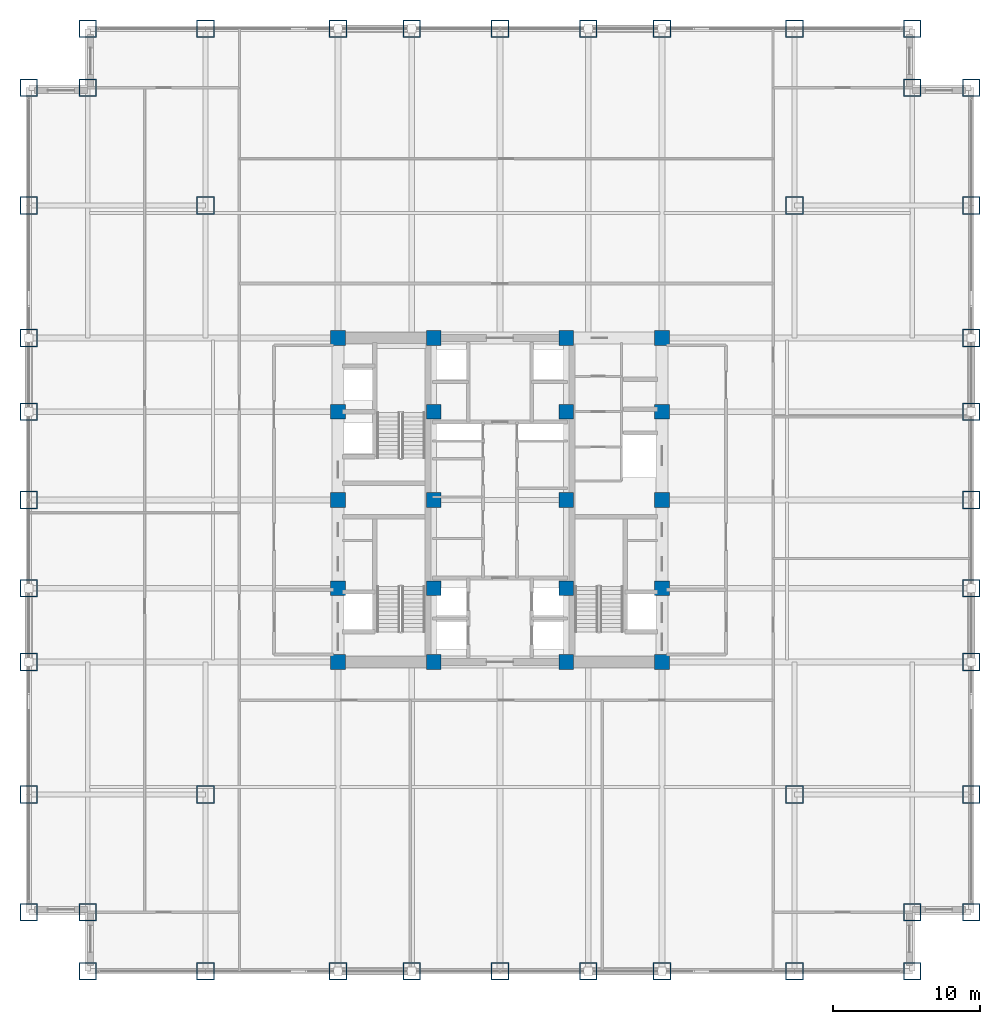
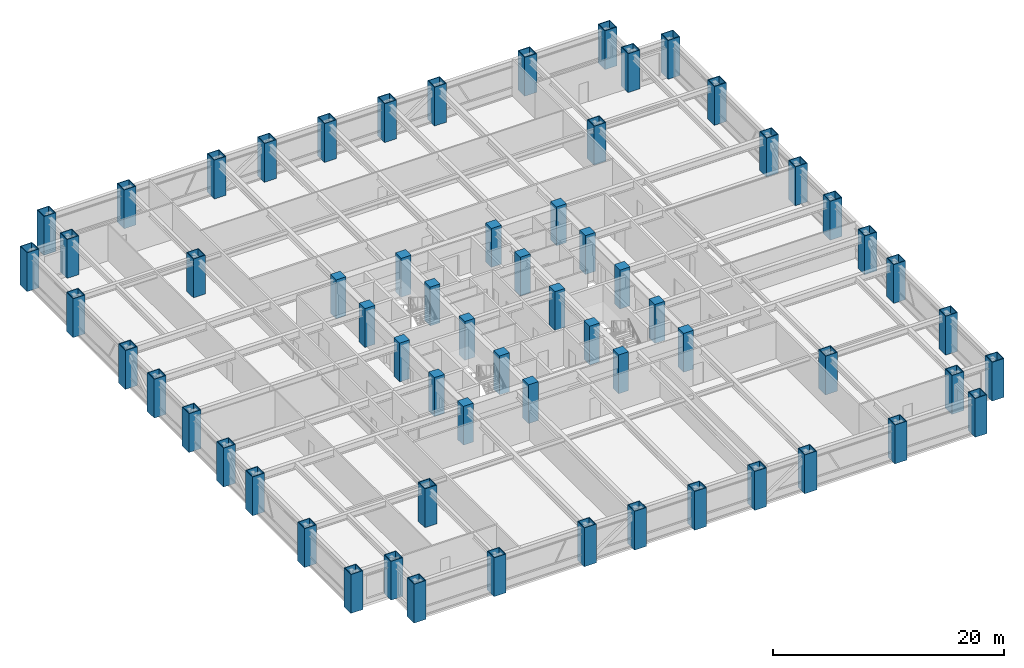
# One storey, part 1 of 27: 64 columns.
"""IFC4 building model written with IfcOpenShell, lengths in metres."""

from ifc_helpers import new_model, si_unit, direction, frame, origin, origin_2d, place, context, subcontext, project, spatial, rectangle, hollow_rectangle, extrude, source, transform, mapped, material, material_profile, profile_set, type_object, element, save


model = new_model("IFC4")

# Units and contexts
model_context = context("Model", 3, precision=1e-05, world=origin(), true_north=direction((0.0, 1.0)))
body_context = subcontext(model_context, "Body", "Model", "MODEL_VIEW")
ifc_project = project(units=[si_unit("LENGTHUNIT", "METRE"), si_unit("AREAUNIT", "SQUARE_METRE"), si_unit("VOLUMEUNIT", "CUBIC_METRE"), si_unit("PLANEANGLEUNIT", "RADIAN"), si_unit("MASSUNIT", "GRAM", prefix="KILO")], contexts=[model_context])

# Site, building, storey
site_placement = place(None, origin())
site = spatial("IfcSite", under=ifc_project, at=site_placement, CompositionType="ELEMENT")
building_placement = place(site_placement, origin())
building = spatial("IfcBuilding", under=site, at=building_placement, Name="Khorayat Bourse Tower", CompositionType="ELEMENT")
storey_placement = place(building_placement, frame((0.0, 0.0, 103.699951171875)))
storey = spatial("IfcBuildingStorey", under=building, at=storey_placement, Name="L23", CompositionType="ELEMENT", Elevation=103.699951171875)

# Columns
ifc_material_1 = material(Name="Steel EN 10025-4 S460M", Category="steel")
ifc_material_profile_1 = material_profile(ifc_material_1, hollow_rectangle(XDim=1.199951171875, YDim=1.199951171875, WallThickness=0.070068359375, at=origin_2d()), Name="BOX 1200x1200x70")
ifc_profile_set_1 = profile_set([ifc_material_profile_1], Name="Steel EN 10025-4 S460M")
column_type_1 = type_object("IfcColumnType", Name="COL-TUBE-1200", PredefinedType="COLUMN", material=ifc_profile_set_1)
shared_shape_1 = source(origin(), body_context, "Body", "SweptSolid", [
    extrude(hollow_rectangle(XDim=1.199951171875, YDim=1.199951171875, WallThickness=0.070068359375, at=origin_2d()), origin(), (0.0, 0.0, 1.0), 4.10009765625),
])
for number, where, z_axis, x_axis, name in (
    (1, (-32.0, -28.0, 0.0), (0.0, 0.0, 1.0), (1.0, 0.0, 0.0), "L23 Column 001"),
    (2, (-32.0, -20.0, 0.0), (0.0, 0.0, 1.0), (1.0, 0.0, 0.0), "L23 Column 002"),
    (3, (-32.0, -11.0, 0.0), (0.0, 0.0, 1.0), (1.0, 0.0, 0.0), "L23 Column 003"),
    (4, (-32.0, -6.0, 0.0), (0.0, 0.0, 1.0), (1.0, 0.0, 0.0), "L23 Column 004"),
    (5, (-32.0, 0.0, 0.0), (0.0, 0.0, 1.0), (1.0, 0.0, 0.0), "L23 Column 005"),
    (6, (-32.0, 6.0, 0.0), (0.0, 0.0, 1.0), (1.0, 0.0, 0.0), "L23 Column 006"),
    (7, (-32.0, 11.0, 0.0), (0.0, 0.0, 1.0), (1.0, 0.0, 0.0), "L23 Column 007"),
    (8, (-32.0, 20.0, 0.0), (0.0, 0.0, 1.0), (1.0, 0.0, 0.0), "L23 Column 008"),
    (9, (-32.0, 28.0, 0.0), (0.0, 0.0, 1.0), (1.0, 0.0, 0.0), "L23 Column 009"),
    (10, (-28.0, -32.0, 0.0), (0.0, 0.0, 1.0), (1.0, 0.0, 0.0), "L23 Column 010"),
    (11, (-28.0, -28.0, 0.0), (0.0, 0.0, 1.0), (1.0, 0.0, 0.0), "L23 Column 011"),
    (12, (-28.0, 28.0, 0.0), (0.0, 0.0, 1.0), (1.0, 0.0, 0.0), "L23 Column 012"),
    (13, (-28.0, 32.0, 0.0), (0.0, 0.0, 1.0), (1.0, 0.0, 0.0), "L23 Column 013"),
    (14, (-20.0, -32.0, 0.0), (0.0, 0.0, 1.0), (1.0, 0.0, 0.0), "L23 Column 014"),
    (15, (-20.0, -20.0, 0.0), (0.0, 0.0, 1.0), (1.0, 0.0, 0.0), "L23 Column 015"),
    (16, (-20.0, 20.0, 0.0), (0.0, 0.0, 1.0), (1.0, 0.0, 0.0), "L23 Column 016"),
    (17, (-20.0, 32.0, 0.0), (0.0, 0.0, 1.0), (1.0, 0.0, 0.0), "L23 Column 017"),
    (18, (-11.0, -32.0, 0.0), (0.0, 0.0, 1.0), (1.0, 0.0, 0.0), "L23 Column 018"),
    (19, (-11.0, 32.0, 0.0), (0.0, 0.0, 1.0), (1.0, 0.0, 0.0), "L23 Column 024"),
    (20, (-6.0, -32.0, 0.0), (0.0, 0.0, 1.0), (1.0, 0.0, 0.0), "L23 Column 025"),
    (21, (-6.0, 32.0, 0.0), (0.0, 0.0, 1.0), (1.0, 0.0, 0.0), "L23 Column 026"),
    (22, (0.0, -32.0, 0.0), (0.0, 0.0, 1.0), (1.0, 0.0, 0.0), "L23 Column 032"),
    (23, (0.0, 32.0, 0.0), (0.0, 0.0, 1.0), (1.0, 0.0, 0.0), "L23 Column 033"),
    (24, (6.0, -32.0, 0.0), (0.0, 0.0, 1.0), (1.0, 0.0, 0.0), "L23 Column 039"),
    (25, (6.0, 32.0, 0.0), (0.0, 0.0, 1.0), (1.0, 0.0, 0.0), "L23 Column 040"),
    (26, (11.0, -32.0, 0.0), (0.0, 0.0, 1.0), (1.0, 0.0, 0.0), "L23 Column 041"),
    (27, (11.0, 32.0, 0.0), (0.0, 0.0, 1.0), (1.0, 0.0, 0.0), "L23 Column 047"),
    (28, (20.0, -32.0, 0.0), (0.0, 0.0, 1.0), (1.0, 0.0, 0.0), "L23 Column 048"),
    (29, (20.0, -20.0, 0.0), (0.0, 0.0, 1.0), (1.0, 0.0, 0.0), "L23 Column 049"),
    (30, (20.0, 20.0, 0.0), (0.0, 0.0, 1.0), (1.0, 0.0, 0.0), "L23 Column 050"),
    (31, (20.0, 32.0, 0.0), (0.0, 0.0, 1.0), (1.0, 0.0, 0.0), "L23 Column 051"),
    (32, (28.0, -32.0, 0.0), (0.0, 0.0, 1.0), (1.0, 0.0, 0.0), "L23 Column 052"),
    (33, (28.0, -28.0, 0.0), (0.0, 0.0, 1.0), (1.0, 0.0, 0.0), "L23 Column 053"),
    (34, (28.0, 28.0, 0.0), (0.0, 0.0, 1.0), (1.0, 0.0, 0.0), "L23 Column 054"),
    (35, (28.0, 32.0, 0.0), (0.0, 0.0, 1.0), (1.0, 0.0, 0.0), "L23 Column 055"),
    (36, (32.0, -28.0, 0.0), (0.0, 0.0, 1.0), (1.0, 0.0, 0.0), "L23 Column 056"),
    (37, (32.0, -20.0, 0.0), (0.0, 0.0, 1.0), (1.0, 0.0, 0.0), "L23 Column 057"),
    (38, (32.0, -11.0, 0.0), (0.0, 0.0, 1.0), (1.0, 0.0, 0.0), "L23 Column 058"),
    (39, (32.0, -6.0, 0.0), (0.0, 0.0, 1.0), (1.0, 0.0, 0.0), "L23 Column 059"),
    (40, (32.0, 0.0, 0.0), (0.0, 0.0, 1.0), (1.0, 0.0, 0.0), "L23 Column 060"),
    (41, (32.0, 6.0, 0.0), (0.0, 0.0, 1.0), (1.0, 0.0, 0.0), "L23 Column 061"),
    (42, (32.0, 11.0, 0.0), (0.0, 0.0, 1.0), (1.0, 0.0, 0.0), "L23 Column 062"),
    (43, (32.0, 20.0, 0.0), (0.0, 0.0, 1.0), (1.0, 0.0, 0.0), "L23 Column 063"),
    (44, (32.0, 28.0, 0.0), (0.0, 0.0, 1.0), (1.0, 0.0, 0.0), "L23 Column 064"),
):
    element("IfcColumn", number, at=place(storey_placement, frame(where, z_axis=z_axis, x_axis=x_axis)), inside=storey, type_object=column_type_1, Name=name, PredefinedType="COLUMN", context=body_context, shape_type="MappedRepresentation", body=[
        mapped(shared_shape_1, transform((0.0, 0.0, 0.0), scale=1.0)),
    ])
ifc_material_2 = material(Name="Concrete C72/90", Category="concrete")
ifc_material_profile_2 = material_profile(ifc_material_2, rectangle(XDim=1.0, YDim=1.0, at=origin_2d()), Name="RC 1000x1000")
ifc_profile_set_2 = profile_set([ifc_material_profile_2], Name="Concrete C72/90")
column_type_2 = type_object("IfcColumnType", Name="COL-CORE-1000", PredefinedType="COLUMN", material=ifc_profile_set_2)
shared_shape_2 = source(origin(), body_context, "Body", "SweptSolid", [
    extrude(rectangle(XDim=1.0, YDim=1.0, at=origin_2d()), origin(), (0.0, 0.0, 1.0), 4.10009765625),
])
for number, where, z_axis, x_axis, name in (
    (45, (-11.0, -11.0, 0.0), (0.0, 0.0, 1.0), (1.0, 0.0, 0.0), "L23 Column 019"),
    (46, (-11.0, -6.0, 0.0), (0.0, 0.0, 1.0), (1.0, 0.0, 0.0), "L23 Column 020"),
    (47, (-11.0, 0.0, 0.0), (0.0, 0.0, 1.0), (1.0, 0.0, 0.0), "L23 Column 021"),
    (48, (-11.0, 6.0, 0.0), (0.0, 0.0, 1.0), (1.0, 0.0, 0.0), "L23 Column 022"),
    (49, (-11.0, 11.0, 0.0), (0.0, 0.0, 1.0), (1.0, 0.0, 0.0), "L23 Column 023"),
    (50, (-4.5, -11.0, 0.0), (0.0, 0.0, 1.0), (1.0, 0.0, 0.0), "L23 Column 027"),
    (51, (-4.5, -6.0, 0.0), (0.0, 0.0, 1.0), (1.0, 0.0, 0.0), "L23 Column 028"),
    (52, (-4.5, 0.0, 0.0), (0.0, 0.0, 1.0), (1.0, 0.0, 0.0), "L23 Column 029"),
    (53, (-4.5, 6.0, 0.0), (0.0, 0.0, 1.0), (1.0, 0.0, 0.0), "L23 Column 030"),
    (54, (-4.5, 11.0, 0.0), (0.0, 0.0, 1.0), (1.0, 0.0, 0.0), "L23 Column 031"),
    (55, (4.5, -11.0, 0.0), (0.0, 0.0, 1.0), (1.0, 0.0, 0.0), "L23 Column 034"),
    (56, (4.5, -6.0, 0.0), (0.0, 0.0, 1.0), (1.0, 0.0, 0.0), "L23 Column 035"),
    (57, (4.5, 0.0, 0.0), (0.0, 0.0, 1.0), (1.0, 0.0, 0.0), "L23 Column 036"),
    (58, (4.5, 6.0, 0.0), (0.0, 0.0, 1.0), (1.0, 0.0, 0.0), "L23 Column 037"),
    (59, (4.5, 11.0, 0.0), (0.0, 0.0, 1.0), (1.0, 0.0, 0.0), "L23 Column 038"),
    (60, (11.0, -11.0, 0.0), (0.0, 0.0, 1.0), (1.0, 0.0, 0.0), "L23 Column 042"),
    (61, (11.0, -6.0, 0.0), (0.0, 0.0, 1.0), (1.0, 0.0, 0.0), "L23 Column 043"),
    (62, (11.0, 0.0, 0.0), (0.0, 0.0, 1.0), (1.0, 0.0, 0.0), "L23 Column 044"),
    (63, (11.0, 6.0, 0.0), (0.0, 0.0, 1.0), (1.0, 0.0, 0.0), "L23 Column 045"),
    (64, (11.0, 11.0, 0.0), (0.0, 0.0, 1.0), (1.0, 0.0, 0.0), "L23 Column 046"),
):
    element("IfcColumn", number, at=place(storey_placement, frame(where, z_axis=z_axis, x_axis=x_axis)), inside=storey, type_object=column_type_2, Name=name, PredefinedType="COLUMN", context=body_context, shape_type="MappedRepresentation", body=[
        mapped(shared_shape_2, transform((0.0, 0.0, 0.0), scale=1.0)),
    ])

save(model, "model.ifc")
